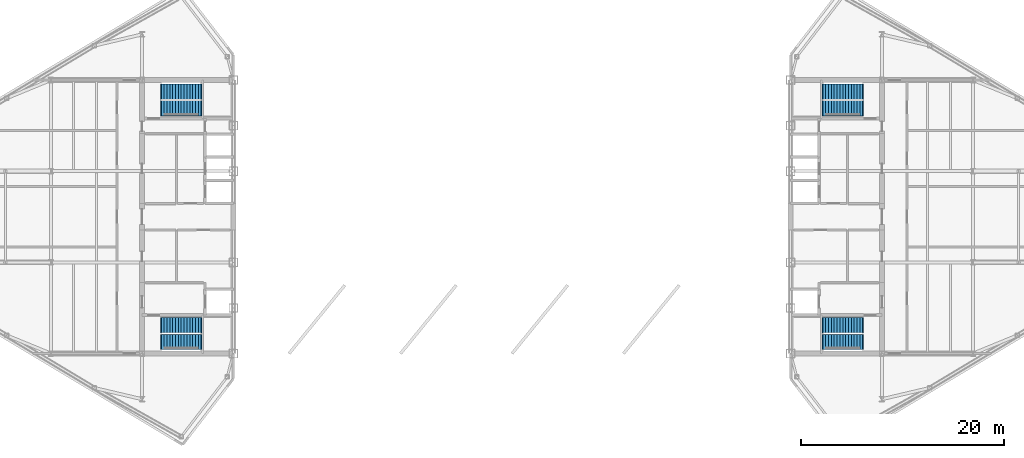
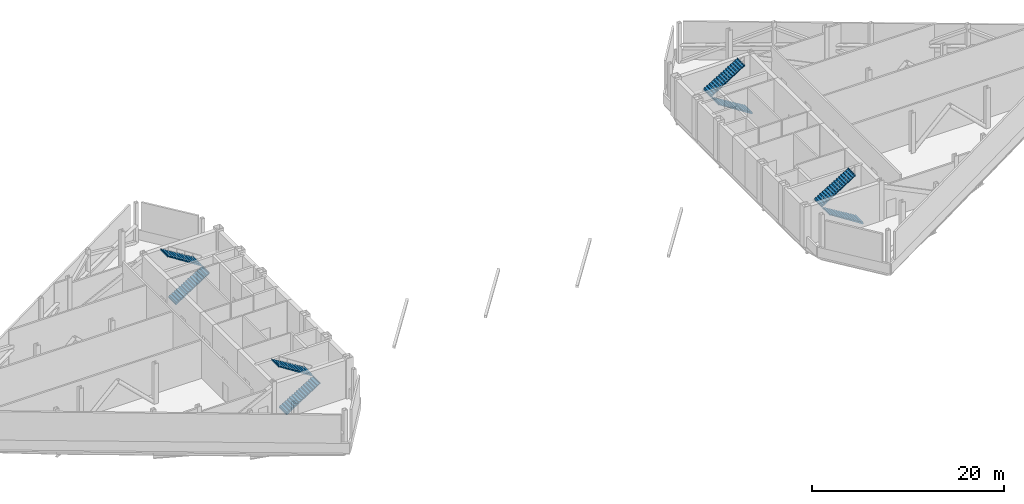
# One storey, part 12 of 13: 8 stair flights, 4 elements without a shape of their own.
"""IFC4 building model written with IfcOpenShell, lengths in metres."""

from ifc_helpers import new_model, si_unit, direction, frame, origin, place, context, subcontext, project, spatial, polyline, outline, extrude, material, type_object, element, aggregate, save


model = new_model("IFC4")

# Units and contexts
model_context = context("Model", 3, precision=1e-05, world=origin(), true_north=direction((0.0, 1.0)))
body_context = subcontext(model_context, "Body", "Model", "MODEL_VIEW")
ifc_project = project(units=[si_unit("LENGTHUNIT", "METRE"), si_unit("AREAUNIT", "SQUARE_METRE"), si_unit("VOLUMEUNIT", "CUBIC_METRE"), si_unit("PLANEANGLEUNIT", "RADIAN"), si_unit("MASSUNIT", "GRAM", prefix="KILO")], contexts=[model_context])

# Site, building, storey
site_placement = place(None, origin())
site = spatial("IfcSite", under=ifc_project, at=site_placement, CompositionType="ELEMENT")
building_placement = place(site_placement, origin())
building = spatial("IfcBuilding", under=site, at=building_placement, Name="Seokmaru Belvedere", CompositionType="ELEMENT")
storey_placement = place(building_placement, frame((0.0, 0.0, 224.699951171875)))
storey = spatial("IfcBuildingStorey", under=building, at=storey_placement, Name="L60", CompositionType="ELEMENT", Elevation=224.699951171875)

# Stair, stair flights
ifc_material = material(Name="Concrete C40 (40 MPa)", Category="concrete")
stair_type = type_object("IfcStairType", Name="Refuge Storey Core Dog-Leg Stair 5100", PredefinedType="TWO_STRAIGHT_RUN_STAIR", material=ifc_material)
stair_1_placement = place(storey_placement, origin())
stair_1 = element("IfcStair", 1, at=stair_1_placement, inside=storey, type_object=stair_type, Name="L60 Special Escape Stair ST-W1", PredefinedType="TWO_STRAIGHT_RUN_STAIR")
stair_flight_type = type_object("IfcStairFlightType", Name="Reinforced Concrete Stair Flight 1500", PredefinedType="STRAIGHT", material=ifc_material)
stair_flight_1_placement = place(storey_placement, frame((-34.60009765625, -12.35009765625, 0.0), z_axis=(0.0, 0.0, 1.0), x_axis=(1.0, 0.0, 0.0)))
stair_flight_1 = element("IfcStairFlight", 2, at=stair_flight_1_placement, type_object=stair_flight_type, Name="ST-W1 flight 1", NumberOfRisers=15, NumberOfTreads=14, PredefinedType="STRAIGHT", RiserHeight=0.17, TreadLength=0.28, context=body_context, shape_type="SweptSolid", body=[
    extrude(outline(polyline([(-0.080078125, 0.0), (0.0, 0.169921875), (0.280029296875, 0.169921875), (0.280029296875, 0.340087890625), (0.56005859375, 0.340087890625), (0.56005859375, 0.510009765625), (0.840087890625, 0.510009765625), (0.840087890625, 0.679931640625), (1.1201171875, 0.679931640625), (1.1201171875, 0.85009765625), (1.39990234375, 0.85009765625), (1.39990234375, 1.02001953125), (1.679931640625, 1.02001953125), (1.679931640625, 1.18994140625), (1.9599609375, 1.18994140625), (1.9599609375, 1.360107421875), (2.239990234375, 1.360107421875), (2.239990234375, 1.530029296875), (2.52001953125, 1.530029296875), (2.52001953125, 1.699951171875), (2.800048828125, 1.699951171875), (2.800048828125, 1.8701171875), (3.080078125, 1.8701171875), (3.080078125, 2.0400390625), (3.360107421875, 2.0400390625), (3.360107421875, 2.2099609375), (3.639892578125, 2.2099609375), (3.639892578125, 2.3798828125), (3.919921875, 2.3798828125), (3.919921875, 2.550048828125), (4.0, 2.550048828125), (4.0, 2.360107421875), (3.919921875, 2.360107421875), (0.0, -0.159912109375), (-0.080078125, -0.159912109375), (-0.080078125, 0.0)])), frame((0.0, 0.75, 0.0), z_axis=(0.0, -1.0, 0.0), x_axis=(1.0, 0.0, 0.0)), (0.0, 0.0, 1.0), 1.5),
])
stair_flight_2_placement = place(storey_placement, frame((-30.679931640625, -10.7099609375, 2.550048828125), z_axis=(0.0, 0.0, 1.0), x_axis=(-1.0, 0.0, 0.0)))
stair_flight_2 = element("IfcStairFlight", 3, at=stair_flight_2_placement, type_object=stair_flight_type, Name="ST-W1 flight 2", NumberOfRisers=15, NumberOfTreads=14, PredefinedType="STRAIGHT", RiserHeight=0.17, TreadLength=0.28, context=body_context, shape_type="SweptSolid", body=[
    extrude(outline(polyline([(-0.080078125, 0.0), (0.0, 0.169921875), (0.280029296875, 0.169921875), (0.280029296875, 0.340087890625), (0.56005859375, 0.340087890625), (0.56005859375, 0.510009765625), (0.840087890625, 0.510009765625), (0.840087890625, 0.679931640625), (1.1201171875, 0.679931640625), (1.1201171875, 0.85009765625), (1.39990234375, 0.85009765625), (1.39990234375, 1.02001953125), (1.679931640625, 1.02001953125), (1.679931640625, 1.18994140625), (1.9599609375, 1.18994140625), (1.9599609375, 1.360107421875), (2.239990234375, 1.360107421875), (2.239990234375, 1.530029296875), (2.52001953125, 1.530029296875), (2.52001953125, 1.699951171875), (2.800048828125, 1.699951171875), (2.800048828125, 1.8701171875), (3.080078125, 1.8701171875), (3.080078125, 2.0400390625), (3.360107421875, 2.0400390625), (3.360107421875, 2.2099609375), (3.639892578125, 2.2099609375), (3.639892578125, 2.3798828125), (3.919921875, 2.3798828125), (3.919921875, 2.550048828125), (4.0, 2.550048828125), (4.0, 2.360107421875), (3.919921875, 2.360107421875), (0.0, -0.159912109375), (-0.080078125, -0.159912109375), (-0.080078125, 0.0)])), frame((0.0, 0.75, 0.0), z_axis=(0.0, -1.0, 0.0), x_axis=(1.0, 0.0, 0.0)), (0.0, 0.0, 1.0), 1.5),
])
aggregate(stair_1, [stair_flight_1, stair_flight_2])

stair_2_placement = place(storey_placement, origin())
stair_2 = element("IfcStair", 4, at=stair_2_placement, inside=storey, type_object=stair_type, Name="L60 Special Escape Stair ST-W2", PredefinedType="TWO_STRAIGHT_RUN_STAIR")
stair_flight_3_placement = place(storey_placement, frame((-34.60009765625, 10.7099609375, 0.0), z_axis=(0.0, 0.0, 1.0), x_axis=(1.0, 0.0, 0.0)))
stair_flight_3 = element("IfcStairFlight", 5, at=stair_flight_3_placement, type_object=stair_flight_type, Name="ST-W2 flight 1", NumberOfRisers=15, NumberOfTreads=14, PredefinedType="STRAIGHT", RiserHeight=0.17, TreadLength=0.28, context=body_context, shape_type="SweptSolid", body=[
    extrude(outline(polyline([(-0.080078125, 0.0), (0.0, 0.169921875), (0.280029296875, 0.169921875), (0.280029296875, 0.340087890625), (0.56005859375, 0.340087890625), (0.56005859375, 0.510009765625), (0.840087890625, 0.510009765625), (0.840087890625, 0.679931640625), (1.1201171875, 0.679931640625), (1.1201171875, 0.85009765625), (1.39990234375, 0.85009765625), (1.39990234375, 1.02001953125), (1.679931640625, 1.02001953125), (1.679931640625, 1.18994140625), (1.9599609375, 1.18994140625), (1.9599609375, 1.360107421875), (2.239990234375, 1.360107421875), (2.239990234375, 1.530029296875), (2.52001953125, 1.530029296875), (2.52001953125, 1.699951171875), (2.800048828125, 1.699951171875), (2.800048828125, 1.8701171875), (3.080078125, 1.8701171875), (3.080078125, 2.0400390625), (3.360107421875, 2.0400390625), (3.360107421875, 2.2099609375), (3.639892578125, 2.2099609375), (3.639892578125, 2.3798828125), (3.919921875, 2.3798828125), (3.919921875, 2.550048828125), (4.0, 2.550048828125), (4.0, 2.360107421875), (3.919921875, 2.360107421875), (0.0, -0.159912109375), (-0.080078125, -0.159912109375), (-0.080078125, 0.0)])), frame((0.0, 0.75, 0.0), z_axis=(0.0, -1.0, 0.0), x_axis=(1.0, 0.0, 0.0)), (0.0, 0.0, 1.0), 1.5),
])
stair_flight_4_placement = place(storey_placement, frame((-30.679931640625, 12.35009765625, 2.550048828125), z_axis=(0.0, 0.0, 1.0), x_axis=(-1.0, 0.0, 0.0)))
stair_flight_4 = element("IfcStairFlight", 6, at=stair_flight_4_placement, type_object=stair_flight_type, Name="ST-W2 flight 2", NumberOfRisers=15, NumberOfTreads=14, PredefinedType="STRAIGHT", RiserHeight=0.17, TreadLength=0.28, context=body_context, shape_type="SweptSolid", body=[
    extrude(outline(polyline([(-0.080078125, 0.0), (0.0, 0.169921875), (0.280029296875, 0.169921875), (0.280029296875, 0.340087890625), (0.56005859375, 0.340087890625), (0.56005859375, 0.510009765625), (0.840087890625, 0.510009765625), (0.840087890625, 0.679931640625), (1.1201171875, 0.679931640625), (1.1201171875, 0.85009765625), (1.39990234375, 0.85009765625), (1.39990234375, 1.02001953125), (1.679931640625, 1.02001953125), (1.679931640625, 1.18994140625), (1.9599609375, 1.18994140625), (1.9599609375, 1.360107421875), (2.239990234375, 1.360107421875), (2.239990234375, 1.530029296875), (2.52001953125, 1.530029296875), (2.52001953125, 1.699951171875), (2.800048828125, 1.699951171875), (2.800048828125, 1.8701171875), (3.080078125, 1.8701171875), (3.080078125, 2.0400390625), (3.360107421875, 2.0400390625), (3.360107421875, 2.2099609375), (3.639892578125, 2.2099609375), (3.639892578125, 2.3798828125), (3.919921875, 2.3798828125), (3.919921875, 2.550048828125), (4.0, 2.550048828125), (4.0, 2.360107421875), (3.919921875, 2.360107421875), (0.0, -0.159912109375), (-0.080078125, -0.159912109375), (-0.080078125, 0.0)])), frame((0.0, 0.75, 0.0), z_axis=(0.0, -1.0, 0.0), x_axis=(1.0, 0.0, 0.0)), (0.0, 0.0, 1.0), 1.5),
])
aggregate(stair_2, [stair_flight_3, stair_flight_4])

stair_3_placement = place(storey_placement, origin())
stair_3 = element("IfcStair", 7, at=stair_3_placement, inside=storey, type_object=stair_type, Name="L60 Special Escape Stair ST-E1", PredefinedType="TWO_STRAIGHT_RUN_STAIR")
stair_flight_5_placement = place(storey_placement, frame((34.60009765625, -12.35009765625, 0.0), z_axis=(0.0, 0.0, 1.0), x_axis=(-1.0, 0.0, 0.0)))
stair_flight_5 = element("IfcStairFlight", 8, at=stair_flight_5_placement, type_object=stair_flight_type, Name="ST-E1 flight 1", NumberOfRisers=15, NumberOfTreads=14, PredefinedType="STRAIGHT", RiserHeight=0.17, TreadLength=0.28, context=body_context, shape_type="SweptSolid", body=[
    extrude(outline(polyline([(-0.080078125, 0.0), (0.0, 0.169921875), (0.280029296875, 0.169921875), (0.280029296875, 0.340087890625), (0.56005859375, 0.340087890625), (0.56005859375, 0.510009765625), (0.840087890625, 0.510009765625), (0.840087890625, 0.679931640625), (1.1201171875, 0.679931640625), (1.1201171875, 0.85009765625), (1.39990234375, 0.85009765625), (1.39990234375, 1.02001953125), (1.679931640625, 1.02001953125), (1.679931640625, 1.18994140625), (1.9599609375, 1.18994140625), (1.9599609375, 1.360107421875), (2.239990234375, 1.360107421875), (2.239990234375, 1.530029296875), (2.52001953125, 1.530029296875), (2.52001953125, 1.699951171875), (2.800048828125, 1.699951171875), (2.800048828125, 1.8701171875), (3.080078125, 1.8701171875), (3.080078125, 2.0400390625), (3.360107421875, 2.0400390625), (3.360107421875, 2.2099609375), (3.639892578125, 2.2099609375), (3.639892578125, 2.3798828125), (3.919921875, 2.3798828125), (3.919921875, 2.550048828125), (4.0, 2.550048828125), (4.0, 2.360107421875), (3.919921875, 2.360107421875), (0.0, -0.159912109375), (-0.080078125, -0.159912109375), (-0.080078125, 0.0)])), frame((0.0, 0.75, 0.0), z_axis=(0.0, -1.0, 0.0), x_axis=(1.0, 0.0, 0.0)), (0.0, 0.0, 1.0), 1.5),
])
stair_flight_6_placement = place(storey_placement, frame((30.679931640625, -10.7099609375, 2.550048828125), z_axis=(0.0, 0.0, 1.0), x_axis=(1.0, 0.0, 0.0)))
stair_flight_6 = element("IfcStairFlight", 9, at=stair_flight_6_placement, type_object=stair_flight_type, Name="ST-E1 flight 2", NumberOfRisers=15, NumberOfTreads=14, PredefinedType="STRAIGHT", RiserHeight=0.17, TreadLength=0.28, context=body_context, shape_type="SweptSolid", body=[
    extrude(outline(polyline([(-0.080078125, 0.0), (0.0, 0.169921875), (0.280029296875, 0.169921875), (0.280029296875, 0.340087890625), (0.56005859375, 0.340087890625), (0.56005859375, 0.510009765625), (0.840087890625, 0.510009765625), (0.840087890625, 0.679931640625), (1.1201171875, 0.679931640625), (1.1201171875, 0.85009765625), (1.39990234375, 0.85009765625), (1.39990234375, 1.02001953125), (1.679931640625, 1.02001953125), (1.679931640625, 1.18994140625), (1.9599609375, 1.18994140625), (1.9599609375, 1.360107421875), (2.239990234375, 1.360107421875), (2.239990234375, 1.530029296875), (2.52001953125, 1.530029296875), (2.52001953125, 1.699951171875), (2.800048828125, 1.699951171875), (2.800048828125, 1.8701171875), (3.080078125, 1.8701171875), (3.080078125, 2.0400390625), (3.360107421875, 2.0400390625), (3.360107421875, 2.2099609375), (3.639892578125, 2.2099609375), (3.639892578125, 2.3798828125), (3.919921875, 2.3798828125), (3.919921875, 2.550048828125), (4.0, 2.550048828125), (4.0, 2.360107421875), (3.919921875, 2.360107421875), (0.0, -0.159912109375), (-0.080078125, -0.159912109375), (-0.080078125, 0.0)])), frame((0.0, 0.75, 0.0), z_axis=(0.0, -1.0, 0.0), x_axis=(1.0, 0.0, 0.0)), (0.0, 0.0, 1.0), 1.5),
])
aggregate(stair_3, [stair_flight_5, stair_flight_6])

stair_4_placement = place(storey_placement, origin())
stair_4 = element("IfcStair", 10, at=stair_4_placement, inside=storey, type_object=stair_type, Name="L60 Special Escape Stair ST-E2", PredefinedType="TWO_STRAIGHT_RUN_STAIR")
stair_flight_7_placement = place(storey_placement, frame((34.60009765625, 10.7099609375, 0.0), z_axis=(0.0, 0.0, 1.0), x_axis=(-1.0, 0.0, 0.0)))
stair_flight_7 = element("IfcStairFlight", 11, at=stair_flight_7_placement, type_object=stair_flight_type, Name="ST-E2 flight 1", NumberOfRisers=15, NumberOfTreads=14, PredefinedType="STRAIGHT", RiserHeight=0.17, TreadLength=0.28, context=body_context, shape_type="SweptSolid", body=[
    extrude(outline(polyline([(-0.080078125, 0.0), (0.0, 0.169921875), (0.280029296875, 0.169921875), (0.280029296875, 0.340087890625), (0.56005859375, 0.340087890625), (0.56005859375, 0.510009765625), (0.840087890625, 0.510009765625), (0.840087890625, 0.679931640625), (1.1201171875, 0.679931640625), (1.1201171875, 0.85009765625), (1.39990234375, 0.85009765625), (1.39990234375, 1.02001953125), (1.679931640625, 1.02001953125), (1.679931640625, 1.18994140625), (1.9599609375, 1.18994140625), (1.9599609375, 1.360107421875), (2.239990234375, 1.360107421875), (2.239990234375, 1.530029296875), (2.52001953125, 1.530029296875), (2.52001953125, 1.699951171875), (2.800048828125, 1.699951171875), (2.800048828125, 1.8701171875), (3.080078125, 1.8701171875), (3.080078125, 2.0400390625), (3.360107421875, 2.0400390625), (3.360107421875, 2.2099609375), (3.639892578125, 2.2099609375), (3.639892578125, 2.3798828125), (3.919921875, 2.3798828125), (3.919921875, 2.550048828125), (4.0, 2.550048828125), (4.0, 2.360107421875), (3.919921875, 2.360107421875), (0.0, -0.159912109375), (-0.080078125, -0.159912109375), (-0.080078125, 0.0)])), frame((0.0, 0.75, 0.0), z_axis=(0.0, -1.0, 0.0), x_axis=(1.0, 0.0, 0.0)), (0.0, 0.0, 1.0), 1.5),
])
stair_flight_8_placement = place(storey_placement, frame((30.679931640625, 12.35009765625, 2.550048828125), z_axis=(0.0, 0.0, 1.0), x_axis=(1.0, 0.0, 0.0)))
stair_flight_8 = element("IfcStairFlight", 12, at=stair_flight_8_placement, type_object=stair_flight_type, Name="ST-E2 flight 2", NumberOfRisers=15, NumberOfTreads=14, PredefinedType="STRAIGHT", RiserHeight=0.17, TreadLength=0.28, context=body_context, shape_type="SweptSolid", body=[
    extrude(outline(polyline([(-0.080078125, 0.0), (0.0, 0.169921875), (0.280029296875, 0.169921875), (0.280029296875, 0.340087890625), (0.56005859375, 0.340087890625), (0.56005859375, 0.510009765625), (0.840087890625, 0.510009765625), (0.840087890625, 0.679931640625), (1.1201171875, 0.679931640625), (1.1201171875, 0.85009765625), (1.39990234375, 0.85009765625), (1.39990234375, 1.02001953125), (1.679931640625, 1.02001953125), (1.679931640625, 1.18994140625), (1.9599609375, 1.18994140625), (1.9599609375, 1.360107421875), (2.239990234375, 1.360107421875), (2.239990234375, 1.530029296875), (2.52001953125, 1.530029296875), (2.52001953125, 1.699951171875), (2.800048828125, 1.699951171875), (2.800048828125, 1.8701171875), (3.080078125, 1.8701171875), (3.080078125, 2.0400390625), (3.360107421875, 2.0400390625), (3.360107421875, 2.2099609375), (3.639892578125, 2.2099609375), (3.639892578125, 2.3798828125), (3.919921875, 2.3798828125), (3.919921875, 2.550048828125), (4.0, 2.550048828125), (4.0, 2.360107421875), (3.919921875, 2.360107421875), (0.0, -0.159912109375), (-0.080078125, -0.159912109375), (-0.080078125, 0.0)])), frame((0.0, 0.75, 0.0), z_axis=(0.0, -1.0, 0.0), x_axis=(1.0, 0.0, 0.0)), (0.0, 0.0, 1.0), 1.5),
])
aggregate(stair_4, [stair_flight_7, stair_flight_8])

save(model, "model.ifc")
